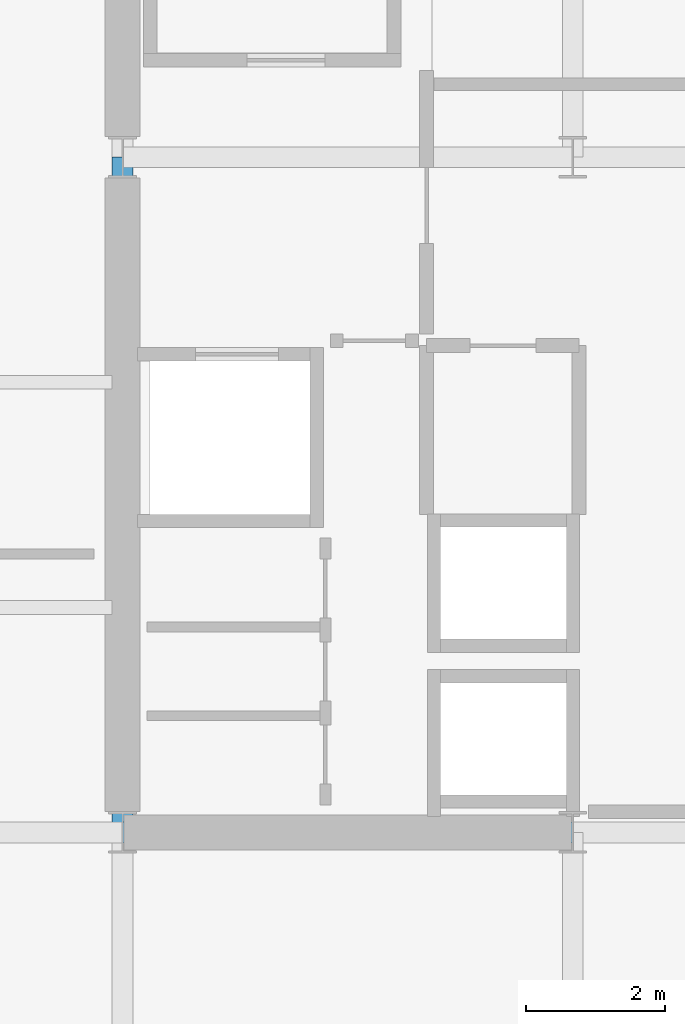
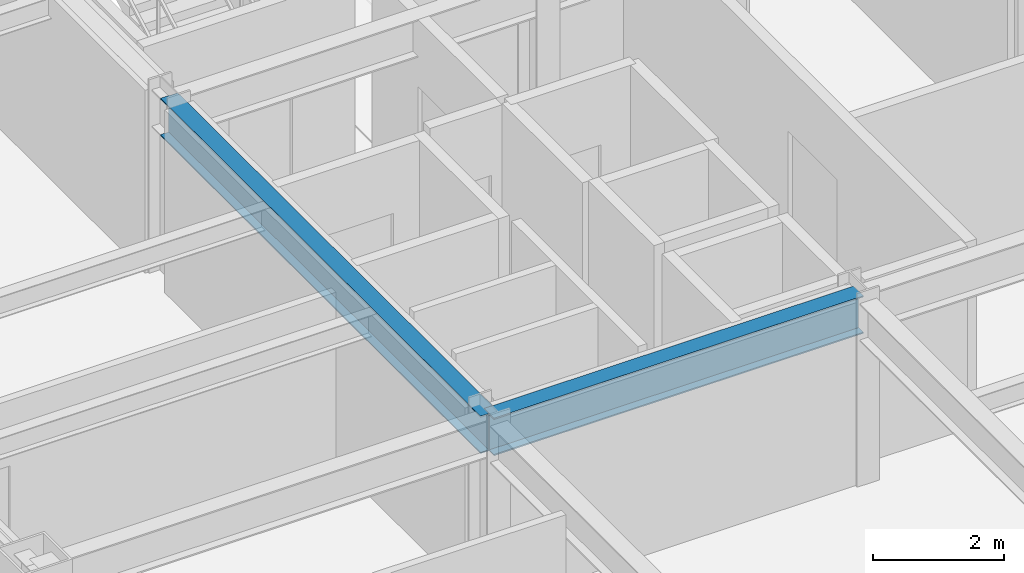
# One storey, part 5 of 34: 2 beams.
"""IFC4 building model written with IfcOpenShell, lengths in metres."""

from ifc_helpers import new_model, si_unit, direction, frame, origin, origin_2d, place, context, subcontext, project, spatial, i_section, extrude, material, material_profile, profile_set, type_object, element, save


model = new_model("IFC4")

# Units and contexts
model_context = context("Model", 3, precision=1e-05, world=origin(), true_north=direction((0.0, 1.0)))
body_context = subcontext(model_context, "Body", "Model", "MODEL_VIEW")
ifc_project = project(units=[si_unit("LENGTHUNIT", "METRE"), si_unit("AREAUNIT", "SQUARE_METRE"), si_unit("VOLUMEUNIT", "CUBIC_METRE"), si_unit("PLANEANGLEUNIT", "RADIAN"), si_unit("MASSUNIT", "GRAM", prefix="KILO")], contexts=[model_context])

# Site, building, storey
site_placement = place(None, origin())
site = spatial("IfcSite", under=ifc_project, at=site_placement, CompositionType="ELEMENT")
building_placement = place(site_placement, origin())
building = spatial("IfcBuilding", under=site, at=building_placement, Name="Brelmoor Portico Tower", CompositionType="ELEMENT")
storey_placement = place(building_placement, frame((0.0, 0.0, 117.0)))
storey = spatial("IfcBuildingStorey", under=building, at=storey_placement, Name="L30", CompositionType="ELEMENT", Elevation=117.0)

# Beams
ifc_material = material(Name="Steel Q355B", Category="steel")
ifc_material_profile = material_profile(ifc_material, i_section(OverallWidth=0.300048828125, OverallDepth=0.699951171875, WebThickness=0.012939453125, FlangeThickness=0.02392578125, at=origin_2d()), Name="HN 700x300x13x24")
ifc_profile_set = profile_set([ifc_material_profile], Name="Steel Q355B")
beam_type = type_object("IfcBeamType", Name="BM-PG-700", PredefinedType="BEAM", material=ifc_profile_set)
beam_1_placement = place(storey_placement, frame((-14.550048828125, -9.75, 3.050048828125), z_axis=(0.0, 1.0, 0.0), x_axis=(-1.0, 0.0, 0.0)))
element("IfcBeam", 1, at=beam_1_placement, inside=storey, type_object=beam_type, Name="L30 Primary Floor Girder PG-02", PredefinedType="BEAM", context=body_context, shape_type="SweptSolid", body=[
    extrude(i_section(OverallWidth=0.300048828125, OverallDepth=0.699951171875, WebThickness=0.012939453125, FlangeThickness=0.02392578125, at=origin_2d()), origin(), (0.0, 0.0, 1.0), 9.75),
])
beam_2_placement = place(storey_placement, frame((-14.550048828125, -9.75, 3.050048828125), z_axis=(1.0, 0.0, 0.0), x_axis=(0.0, 1.0, 0.0)))
element("IfcBeam", 2, at=beam_2_placement, inside=storey, type_object=beam_type, Name="L30 Primary Floor Girder PG-15", PredefinedType="BEAM", context=body_context, shape_type="SweptSolid", body=[
    extrude(i_section(OverallWidth=0.300048828125, OverallDepth=0.699951171875, WebThickness=0.012939453125, FlangeThickness=0.02392578125, at=origin_2d()), origin(), (0.0, 0.0, 1.0), 6.5),
])

save(model, "model.ifc")
